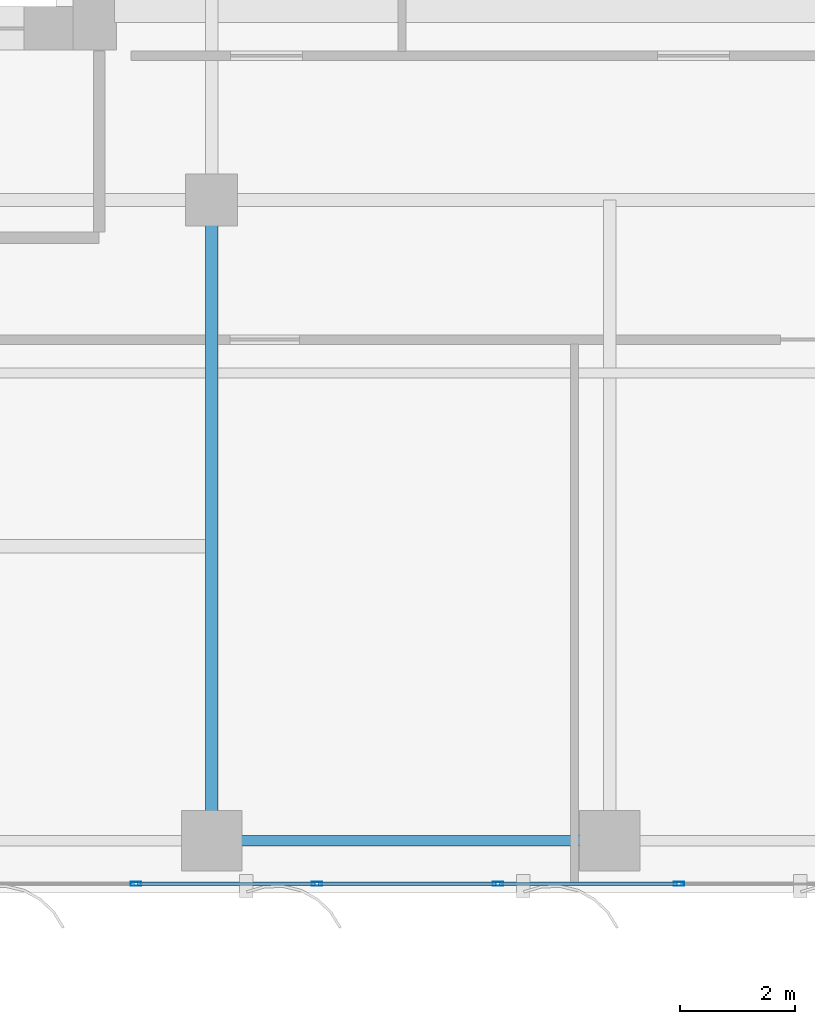
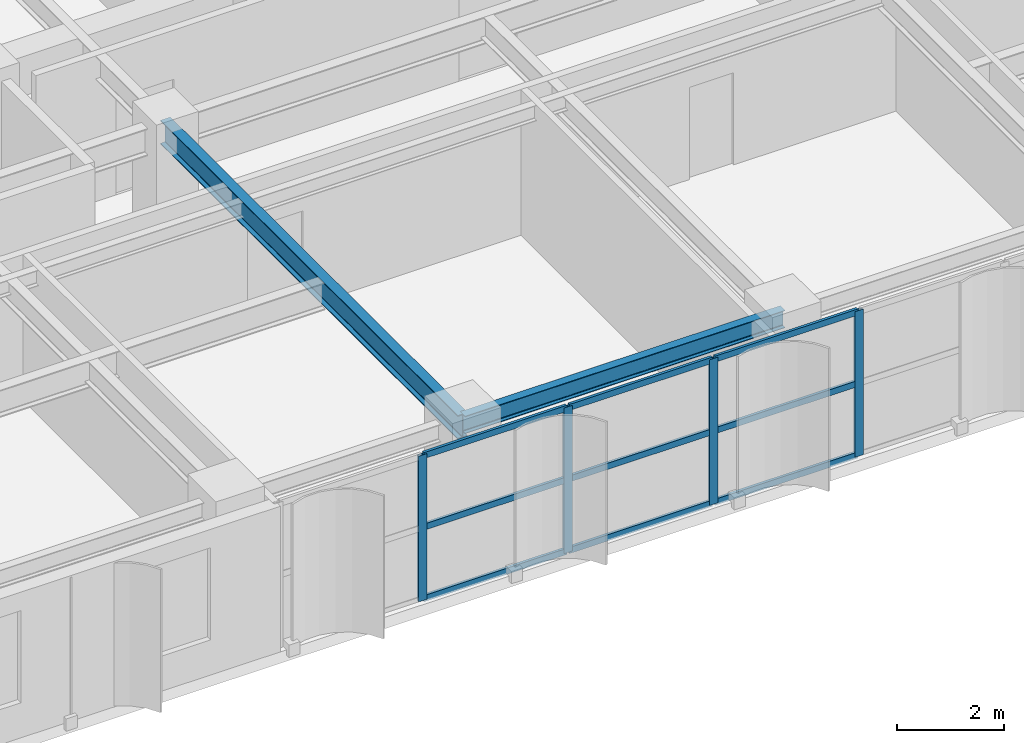
# One storey, part 4 of 22: 13 members, 2 beams, 1 element without a shape of its own.
"""IFC4 building model written with IfcOpenShell, lengths in metres."""

from ifc_helpers import new_model, si_unit, direction, frame, origin, origin_2d, place, context, subcontext, project, spatial, hollow_rectangle, i_section, extrude, source, transform, mapped, material, layer, layer_set, material_profile, profile_set, type_object, element, aggregate, save


model = new_model("IFC4")

# Units and contexts
model_context = context("Model", 3, precision=1e-05, world=origin(), true_north=direction((0.0, 1.0)))
body_context = subcontext(model_context, "Body", "Model", "MODEL_VIEW")
ifc_project = project(units=[si_unit("LENGTHUNIT", "METRE"), si_unit("AREAUNIT", "SQUARE_METRE"), si_unit("VOLUMEUNIT", "CUBIC_METRE"), si_unit("PLANEANGLEUNIT", "RADIAN"), si_unit("MASSUNIT", "GRAM", prefix="KILO")], contexts=[model_context])

# Site, building, storey
site_placement = place(None, origin())
site = spatial("IfcSite", under=ifc_project, at=site_placement, CompositionType="ELEMENT")
building_placement = place(site_placement, origin())
building = spatial("IfcBuilding", under=site, at=building_placement, Name="Khoralis Quay Care Tower", CompositionType="ELEMENT")
storey_placement = place(building_placement, frame((0.0, 0.0, 141.300048828125)))
storey = spatial("IfcBuildingStorey", under=building, at=storey_placement, Name="L37", CompositionType="ELEMENT", Elevation=141.300048828125)

# Beams
ifc_material_1 = material(Name="Steel S355", Category="steel")
ifc_material_profile_1 = material_profile(ifc_material_1, i_section(OverallWidth=0.179931640625, OverallDepth=0.39990234375, WebThickness=0.008544921875, FlangeThickness=0.013427734375, FilletRadius=0.02099609375, at=origin_2d()), Name="Steel S355")
ifc_profile_set_1 = profile_set([ifc_material_profile_1], Name="Steel S355")
beam_type_1 = type_object("IfcBeamType", Name="BM-IPE400", PredefinedType="SPANDREL", material=ifc_profile_set_1)
shared_shape_1 = source(origin(), body_context, "Body", "SweptSolid", [
    extrude(i_section(OverallWidth=0.179931640625, OverallDepth=0.39990234375, WebThickness=0.008544921875, FlangeThickness=0.013427734375, FilletRadius=0.02099609375, at=origin_2d()), origin(), (0.0, 0.0, 1.0), 6.89990234375),
])
beam_1_placement = place(storey_placement, frame((17.10009765625, 0.89990234375, 3.119873046875), z_axis=(1.0, 0.0, 0.0), x_axis=(0.0, 1.0, 0.0)))
element("IfcBeam", 1, at=beam_1_placement, inside=storey, type_object=beam_type_1, Name="BM-TSP-L37-03", PredefinedType="SPANDREL", context=body_context, shape_type="MappedRepresentation", body=[
    mapped(shared_shape_1, transform((0.0, 0.0, 0.0), scale=1.0)),
])
ifc_material_profile_2 = material_profile(ifc_material_1, i_section(OverallWidth=0.2119140625, OverallDepth=0.5439453125, WebThickness=0.01318359375, FlangeThickness=0.021240234375, FilletRadius=0.01611328125, at=origin_2d()), Name="Steel S355")
ifc_profile_set_2 = profile_set([ifc_material_profile_2], Name="Steel S355")
beam_type_2 = type_object("IfcBeamType", Name="BM-W530X123", PredefinedType="BEAM", material=ifc_profile_set_2)
shared_shape_2 = source(origin(), body_context, "Body", "SweptSolid", [
    extrude(i_section(OverallWidth=0.2119140625, OverallDepth=0.5439453125, WebThickness=0.01318359375, FlangeThickness=0.021240234375, FilletRadius=0.01611328125, at=origin_2d()), origin(), (0.0, 0.0, 1.0), 11.10009765625),
])
beam_2_placement = place(storey_placement, frame((17.10009765625, 0.89990234375, 3.0478515625), z_axis=(0.0, 1.0, 0.0), x_axis=(-1.0, 0.0, 0.0)))
element("IfcBeam", 2, at=beam_2_placement, inside=storey, type_object=beam_type_2, Name="BM-TGYS-L37-171", PredefinedType="BEAM", context=body_context, shape_type="MappedRepresentation", body=[
    mapped(shared_shape_2, transform((0.0, 0.0, 0.0), scale=1.0)),
])

# Curtain wall, members
ifc_material_2 = material(Name="Pale anodised aluminium", Category="aluminium")
ifc_layer = layer(ifc_material_2, 0.169921875)
ifc_layer_set = layer_set([ifc_layer], Name="Pale anodised aluminium")
curtain_wall_type = type_object("IfcCurtainWallType", Name="CW-SYS-Z2", PredefinedType="NOTDEFINED", material=ifc_layer_set)
curtain_wall_placement = place(storey_placement, origin())
curtain_wall = element("IfcCurtainWall", 3, at=curtain_wall_placement, inside=storey, type_object=curtain_wall_type, Name="L37 Unitised Curtain Wall CW-L37-P1-E0", PredefinedType="NOTDEFINED")
ifc_material_profile_3 = material_profile(ifc_material_2, hollow_rectangle(XDim=0.06494140625, YDim=0.179931640625, WallThickness=0.00390625, at=origin_2d()), Name="Pale anodised aluminium")
ifc_profile_set_3 = profile_set([ifc_material_profile_3], Name="Pale anodised aluminium")
member_type_1 = type_object("IfcMemberType", Name="CW-MUL-180", PredefinedType="MULLION", material=ifc_profile_set_3)
shared_shape_3 = source(origin(), body_context, "Body", "SweptSolid", [
    extrude(hollow_rectangle(XDim=0.06494140625, YDim=0.179931640625, WallThickness=0.00390625, at=origin_2d()), origin(), (0.0, 0.0, 1.0), 3.320068359375),
])
member_1_placement = place(storey_placement, frame((15.78662109375, 0.14990234375, 0.0), z_axis=(0.0, 0.0, 1.0), x_axis=(0.0, 1.0, 0.0)))
member_1 = element("IfcMember", 4, at=member_1_placement, type_object=member_type_1, Name="CW2 mullion 2", PredefinedType="MULLION", context=body_context, shape_type="MappedRepresentation", body=[
    mapped(shared_shape_3, transform((0.0, 0.0, 0.0), scale=1.0)),
])
member_2_placement = place(storey_placement, frame((18.92333984375, 0.14990234375, 0.0), z_axis=(0.0, 0.0, 1.0), x_axis=(0.0, 1.0, 0.0)))
member_2 = element("IfcMember", 5, at=member_2_placement, type_object=member_type_1, Name="CW2 mullion 3", PredefinedType="MULLION", context=body_context, shape_type="MappedRepresentation", body=[
    mapped(shared_shape_3, transform((0.0, 0.0, 0.0), scale=1.0)),
])
member_3_placement = place(storey_placement, frame((22.06005859375, 0.14990234375, 0.0), z_axis=(0.0, 0.0, 1.0), x_axis=(0.0, 1.0, 0.0)))
member_3 = element("IfcMember", 6, at=member_3_placement, type_object=member_type_1, Name="CW2 mullion 4", PredefinedType="MULLION", context=body_context, shape_type="MappedRepresentation", body=[
    mapped(shared_shape_3, transform((0.0, 0.0, 0.0), scale=1.0)),
])
member_4_placement = place(storey_placement, frame((25.19677734375, 0.14990234375, 0.0), z_axis=(0.0, 0.0, 1.0), x_axis=(0.0, 1.0, 0.0)))
member_4 = element("IfcMember", 7, at=member_4_placement, type_object=member_type_1, Name="CW2 mullion 5", PredefinedType="MULLION", context=body_context, shape_type="MappedRepresentation", body=[
    mapped(shared_shape_3, transform((0.0, 0.0, 0.0), scale=1.0)),
])
ifc_material_profile_4 = material_profile(ifc_material_2, hollow_rectangle(XDim=0.06005859375, YDim=0.139892578125, WallThickness=0.00390625, at=origin_2d()), Name="Pale anodised aluminium")
ifc_profile_set_4 = profile_set([ifc_material_profile_4], Name="Pale anodised aluminium")
member_type_2 = type_object("IfcMemberType", Name="CW-TRN-140", PredefinedType="USERDEFINED", material=ifc_profile_set_4)
shared_shape_4 = source(origin(), body_context, "Body", "SweptSolid", [
    extrude(hollow_rectangle(XDim=0.06005859375, YDim=0.139892578125, WallThickness=0.00390625, at=origin_2d()), origin(), (0.0, 0.0, 1.0), 3.07666015625),
])
member_5_placement = place(storey_placement, frame((15.816650390625, 0.14990234375, 0.030029296875), z_axis=(1.0, 0.0, 0.0), x_axis=(0.0, 1.0, 0.0)))
member_5 = element("IfcMember", 8, at=member_5_placement, type_object=member_type_2, Name="CW2 transom 2.1", ObjectType="TRANSOM", PredefinedType="USERDEFINED", context=body_context, shape_type="MappedRepresentation", body=[
    mapped(shared_shape_4, transform((0.0, 0.0, 0.0), scale=1.0)),
])
member_6_placement = place(storey_placement, frame((15.816650390625, 0.14990234375, 1.659912109375), z_axis=(1.0, 0.0, 0.0), x_axis=(0.0, 1.0, 0.0)))
member_6 = element("IfcMember", 9, at=member_6_placement, type_object=member_type_2, Name="CW2 transom 2.2", ObjectType="TRANSOM", PredefinedType="USERDEFINED", context=body_context, shape_type="MappedRepresentation", body=[
    mapped(shared_shape_4, transform((0.0, 0.0, 0.0), scale=1.0)),
])
member_7_placement = place(storey_placement, frame((15.816650390625, 0.14990234375, 3.2900390625), z_axis=(1.0, 0.0, 0.0), x_axis=(0.0, 1.0, 0.0)))
member_7 = element("IfcMember", 10, at=member_7_placement, type_object=member_type_2, Name="CW2 transom 2.3", ObjectType="TRANSOM", PredefinedType="USERDEFINED", context=body_context, shape_type="MappedRepresentation", body=[
    mapped(shared_shape_4, transform((0.0, 0.0, 0.0), scale=1.0)),
])
member_8_placement = place(storey_placement, frame((18.953369140625, 0.14990234375, 0.030029296875), z_axis=(1.0, 0.0, 0.0), x_axis=(0.0, 1.0, 0.0)))
member_8 = element("IfcMember", 11, at=member_8_placement, type_object=member_type_2, Name="CW2 transom 3.1", ObjectType="TRANSOM", PredefinedType="USERDEFINED", context=body_context, shape_type="MappedRepresentation", body=[
    mapped(shared_shape_4, transform((0.0, 0.0, 0.0), scale=1.0)),
])
member_9_placement = place(storey_placement, frame((18.953369140625, 0.14990234375, 1.659912109375), z_axis=(1.0, 0.0, 0.0), x_axis=(0.0, 1.0, 0.0)))
member_9 = element("IfcMember", 12, at=member_9_placement, type_object=member_type_2, Name="CW2 transom 3.2", ObjectType="TRANSOM", PredefinedType="USERDEFINED", context=body_context, shape_type="MappedRepresentation", body=[
    mapped(shared_shape_4, transform((0.0, 0.0, 0.0), scale=1.0)),
])
member_10_placement = place(storey_placement, frame((18.953369140625, 0.14990234375, 3.2900390625), z_axis=(1.0, 0.0, 0.0), x_axis=(0.0, 1.0, 0.0)))
member_10 = element("IfcMember", 13, at=member_10_placement, type_object=member_type_2, Name="CW2 transom 3.3", ObjectType="TRANSOM", PredefinedType="USERDEFINED", context=body_context, shape_type="MappedRepresentation", body=[
    mapped(shared_shape_4, transform((0.0, 0.0, 0.0), scale=1.0)),
])
member_11_placement = place(storey_placement, frame((22.090087890625, 0.14990234375, 0.030029296875), z_axis=(1.0, 0.0, 0.0), x_axis=(0.0, 1.0, 0.0)))
member_11 = element("IfcMember", 14, at=member_11_placement, type_object=member_type_2, Name="CW2 transom 4.1", ObjectType="TRANSOM", PredefinedType="USERDEFINED", context=body_context, shape_type="MappedRepresentation", body=[
    mapped(shared_shape_4, transform((0.0, 0.0, 0.0), scale=1.0)),
])
member_12_placement = place(storey_placement, frame((22.090087890625, 0.14990234375, 1.659912109375), z_axis=(1.0, 0.0, 0.0), x_axis=(0.0, 1.0, 0.0)))
member_12 = element("IfcMember", 15, at=member_12_placement, type_object=member_type_2, Name="CW2 transom 4.2", ObjectType="TRANSOM", PredefinedType="USERDEFINED", context=body_context, shape_type="MappedRepresentation", body=[
    mapped(shared_shape_4, transform((0.0, 0.0, 0.0), scale=1.0)),
])
member_13_placement = place(storey_placement, frame((22.090087890625, 0.14990234375, 3.2900390625), z_axis=(1.0, 0.0, 0.0), x_axis=(0.0, 1.0, 0.0)))
member_13 = element("IfcMember", 16, at=member_13_placement, type_object=member_type_2, Name="CW2 transom 4.3", ObjectType="TRANSOM", PredefinedType="USERDEFINED", context=body_context, shape_type="MappedRepresentation", body=[
    mapped(shared_shape_4, transform((0.0, 0.0, 0.0), scale=1.0)),
])
aggregate(curtain_wall, [member_1, member_2, member_3, member_4, member_5, member_6, member_7, member_8, member_9, member_10, member_11, member_12, member_13])

save(model, "model.ifc")
